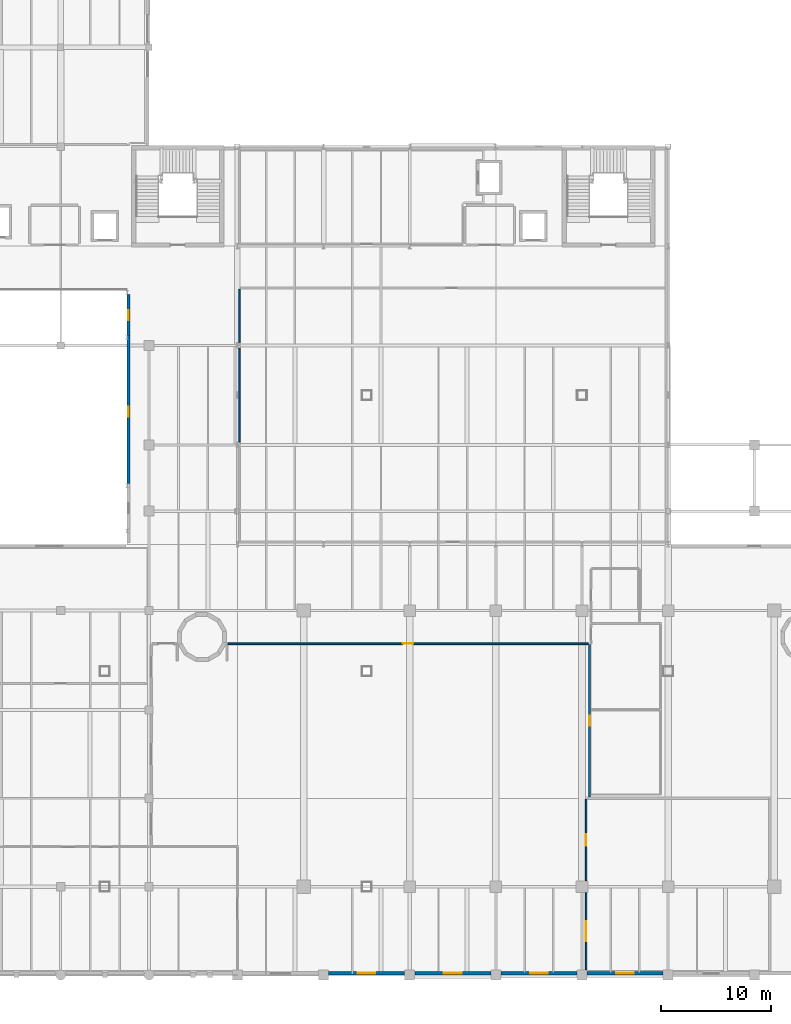
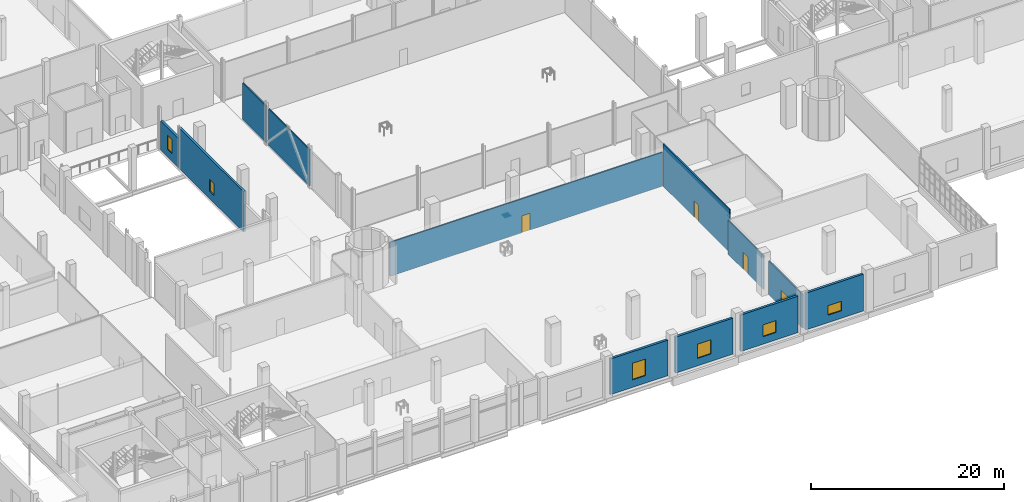
# One storey, part 40 of 57: 12 walls, 6 windows, 4 doors, 10 openings.
"""IFC4 building model written with IfcOpenShell, lengths in metres."""

from ifc_helpers import new_model, si_unit, derived_unit, direction, frame, frame_2d, origin, place, context, subcontext, project, spatial, rectangle, extrude, material, layer, layer_set, type_object, element, fill, save


model = new_model("IFC4")

# Units and contexts
model_context = context("Model", 3, precision=1e-05, world=origin(), true_north=direction((0.0, 1.0)))
body_context = subcontext(model_context, "Body", "Model", "MODEL_VIEW")
ifc_project = project(units=[si_unit("LENGTHUNIT", "METRE"), si_unit("AREAUNIT", "SQUARE_METRE"), si_unit("VOLUMEUNIT", "CUBIC_METRE"), si_unit("PLANEANGLEUNIT", "RADIAN"), si_unit("MASSUNIT", "GRAM", prefix="KILO"), derived_unit("THERMALTRANSMITTANCEUNIT", [(si_unit("POWERUNIT", "WATT"), 1), (si_unit("LENGTHUNIT", "METRE"), -2), (si_unit("THERMODYNAMICTEMPERATUREUNIT", "KELVIN"), -1)])], contexts=[model_context])

# Site, building, storey
site_placement = place(None, origin())
site = spatial("IfcSite", under=ifc_project, at=site_placement, CompositionType="ELEMENT")
building_placement = place(site_placement, origin())
building = spatial("IfcBuilding", under=site, at=building_placement, Name="Nallur Shell Playhouse", CompositionType="ELEMENT")
storey_placement = place(building_placement, origin())
storey = spatial("IfcBuildingStorey", under=building, at=storey_placement, Name="L01", CompositionType="ELEMENT", Elevation=0.0)

# Wall, opening, window
ifc_material_1 = material(Name="Precast concrete M40", Category="concrete")
ifc_layer_1 = layer(ifc_material_1, 0.260009765625)
ifc_layer_set_1 = layer_set([ifc_layer_1], Name="Precast concrete M40")
wall_type_1 = type_object("IfcWallType", Name="WL-EXT-CLAD260", PredefinedType="ELEMENTEDWALL", material=ifc_layer_set_1)
wall_1_placement = place(storey_placement, frame((54.14990234375, 52.48291015625, 0.0), z_axis=(0.0, 0.0, 1.0), x_axis=(0.0, 1.0, 0.0)))
wall_1 = element("IfcWall", 1, at=wall_1_placement, inside=storey, type_object=wall_type_1, Name="L01 exterior wall EW-L01-084", PredefinedType="ELEMENTEDWALL", context=body_context, shape_type="SweptSolid", body=[
    extrude(rectangle(XDim=13.400146484375, YDim=0.260009765625, at=frame_2d((6.7001953125, 0.0))), origin(), (0.0, 0.0, 1.0), 5.1201171875),
])
opening_1_placement = place(wall_1_placement, frame((6.06689453125, 0.0, 0.949951171875)))
opening_1 = element("IfcOpeningElement", 2, at=opening_1_placement, cuts=wall_1, Name="Opening WN-02", PredefinedType="OPENING", context=body_context, shape_type="SweptSolid", body=[
    extrude(rectangle(XDim=0.89990234375, YDim=1.5, at=frame_2d((0.449951171875, 0.75))), frame((0.0, 0.14013671875, 0.0), z_axis=(0.0, -1.0, 0.0), x_axis=(1.0, 0.0, 0.0)), (0.0, 0.0, 1.0), 0.280029296875),
])
ifc_material_2 = material(Name="Thermally Broken Aluminium Acoustic Double-Glazed Window", Category="aluminium")
window_type_1 = type_object("IfcWindowType", Name="WN-TYPE-02", PartitioningType="SINGLE_PANEL", PredefinedType="WINDOW", material=ifc_material_2)
window_1_placement = place(opening_1_placement, origin())
window_1 = element("IfcWindow", 3, at=window_1_placement, inside=storey, type_object=window_type_1, Name="L01 facade module window 034", OverallHeight=1.5, OverallWidth=0.89990234375, PartitioningType="SINGLE_PANEL", PredefinedType="WINDOW", context=body_context, shape_type="SweptSolid", body=[
    extrude(rectangle(XDim=0.89990234375, YDim=1.5, at=frame_2d((0.449951171875, 0.75))), frame((0.0, 0.030029296875, 0.0), z_axis=(0.0, -1.0, 0.0), x_axis=(1.0, 0.0, 0.0)), (0.0, 0.0, 1.0), 0.06005859375),
])
fill(opening_1, window_1)

wall_2_placement = place(storey_placement, frame((54.14990234375, 65.883056640625, 0.0), z_axis=(0.0, 0.0, 1.0), x_axis=(0.0, 1.0, 0.0)))
wall_2 = element("IfcWall", 4, at=wall_2_placement, inside=storey, type_object=wall_type_1, Name="L01 exterior wall EW-L01-085", PredefinedType="ELEMENTEDWALL", context=body_context, shape_type="SweptSolid", body=[
    extrude(rectangle(XDim=3.73388671875, YDim=0.260009765625, at=frame_2d((1.866943359375, 0.0))), origin(), (0.0, 0.0, 1.0), 3.675048828125),
])
opening_2_placement = place(wall_2_placement, frame((1.4169921875, 0.0, 0.949951171875)))
opening_2 = element("IfcOpeningElement", 5, at=opening_2_placement, cuts=wall_2, Name="Opening WN-03", PredefinedType="OPENING", context=body_context, shape_type="SweptSolid", body=[
    extrude(rectangle(XDim=0.89990234375, YDim=1.800048828125, at=frame_2d((0.449951171875, 0.89990234375))), frame((0.0, 0.14013671875, 0.0), z_axis=(0.0, -1.0, 0.0), x_axis=(1.0, 0.0, 0.0)), (0.0, 0.0, 1.0), 0.280029296875),
])
window_type_2 = type_object("IfcWindowType", Name="WN-TYPE-03", PartitioningType="SINGLE_PANEL", PredefinedType="WINDOW", material=ifc_material_2)
window_2_placement = place(opening_2_placement, origin())
window_2 = element("IfcWindow", 6, at=window_2_placement, inside=storey, type_object=window_type_2, Name="L01 facade module window 035", OverallHeight=1.800048828125, OverallWidth=0.89990234375, PartitioningType="SINGLE_PANEL", PredefinedType="WINDOW", context=body_context, shape_type="SweptSolid", body=[
    extrude(rectangle(XDim=0.89990234375, YDim=1.800048828125, at=frame_2d((0.449951171875, 0.89990234375))), frame((0.0, 0.030029296875, 0.0), z_axis=(0.0, -1.0, 0.0), x_axis=(1.0, 0.0, 0.0)), (0.0, 0.0, 1.0), 0.06005859375),
])
fill(opening_2, window_2)

ifc_material_3 = material(Name="Concrete M30", Category="concrete")
ifc_layer_2 = layer(ifc_material_3, 0.280029296875)
ifc_layer_set_2 = layer_set([ifc_layer_2], Name="Concrete M30")
wall_type_2 = type_object("IfcWallType", Name="WL-EXT-INS280", PredefinedType="STANDARD", material=ifc_layer_set_2)
wall_3_placement = place(storey_placement, frame((102.5419921875, 8.159912109375, 0.0), z_axis=(0.0, 0.0, 1.0), x_axis=(-1.0, 0.0, 0.0)))
wall_3 = element("IfcWall", 7, at=wall_3_placement, inside=storey, type_object=wall_type_2, Name="L01 exterior wall EW-L01-047", PredefinedType="STANDARD", context=body_context, shape_type="SweptSolid", body=[
    extrude(rectangle(XDim=6.884033203125, YDim=0.280029296875, at=frame_2d((3.44189453125, 0.0))), origin(), (0.0, 0.0, 1.0), 4.655029296875),
])
opening_3_placement = place(wall_3_placement, frame((2.64208984375, 0.0, 0.949951171875)))
opening_3 = element("IfcOpeningElement", 8, at=opening_3_placement, cuts=wall_3, Name="Opening WN-17", PredefinedType="OPENING", context=body_context, shape_type="SweptSolid", body=[
    extrude(rectangle(XDim=1.60009765625, YDim=1.199951171875, at=frame_2d((0.800048828125, 0.60009765625))), frame((0.0, 0.14990234375, 0.0), z_axis=(0.0, -1.0, 0.0), x_axis=(1.0, 0.0, 0.0)), (0.0, 0.0, 1.0), 0.300048828125),
])
window_type_3 = type_object("IfcWindowType", Name="WN-TYPE-17", PartitioningType="SINGLE_PANEL", PredefinedType="WINDOW", material=ifc_material_2)
window_3_placement = place(opening_3_placement, origin())
window_3 = element("IfcWindow", 9, at=window_3_placement, inside=storey, type_object=window_type_3, Name="L01 facade module window 017", OverallHeight=1.199951171875, OverallWidth=1.60009765625, PartitioningType="SINGLE_PANEL", PredefinedType="WINDOW", context=body_context, shape_type="SweptSolid", body=[
    extrude(rectangle(XDim=1.60009765625, YDim=1.199951171875, at=frame_2d((0.800048828125, 0.60009765625))), frame((0.0, 0.030029296875, 0.0), z_axis=(0.0, -1.0, 0.0), x_axis=(1.0, 0.0, 0.0)), (0.0, 0.0, 1.0), 0.06005859375),
])
fill(opening_3, window_3)

wall_4_placement = place(storey_placement, frame((94.741943359375, 8.159912109375, 0.0), z_axis=(0.0, 0.0, 1.0), x_axis=(-1.0, 0.0, 0.0)))
wall_4 = element("IfcWall", 10, at=wall_4_placement, inside=storey, type_object=wall_type_2, Name="L01 exterior wall EW-L01-048", PredefinedType="STANDARD", context=body_context, shape_type="SweptSolid", body=[
    extrude(rectangle(XDim=6.884033203125, YDim=0.280029296875, at=frame_2d((3.44189453125, 0.0))), origin(), (0.0, 0.0, 1.0), 4.60498046875),
])
opening_4_placement = place(wall_4_placement, frame((2.64208984375, 0.0, 0.949951171875)))
opening_4 = element("IfcOpeningElement", 11, at=opening_4_placement, cuts=wall_4, Name="Opening WN-18", PredefinedType="OPENING", context=body_context, shape_type="SweptSolid", body=[
    extrude(rectangle(XDim=1.60009765625, YDim=1.5, at=frame_2d((0.800048828125, 0.75))), frame((0.0, 0.14990234375, 0.0), z_axis=(0.0, -1.0, 0.0), x_axis=(1.0, 0.0, 0.0)), (0.0, 0.0, 1.0), 0.300048828125),
])
window_type_4 = type_object("IfcWindowType", Name="WN-TYPE-18", PartitioningType="SINGLE_PANEL", PredefinedType="WINDOW", material=ifc_material_2)
window_4_placement = place(opening_4_placement, origin())
window_4 = element("IfcWindow", 12, at=window_4_placement, inside=storey, type_object=window_type_4, Name="L01 facade module window 018", OverallHeight=1.5, OverallWidth=1.60009765625, PartitioningType="SINGLE_PANEL", PredefinedType="WINDOW", context=body_context, shape_type="SweptSolid", body=[
    extrude(rectangle(XDim=1.60009765625, YDim=1.5, at=frame_2d((0.800048828125, 0.75))), frame((0.0, 0.030029296875, 0.0), z_axis=(0.0, -1.0, 0.0), x_axis=(1.0, 0.0, 0.0)), (0.0, 0.0, 1.0), 0.06005859375),
])
fill(opening_4, window_4)

wall_5_placement = place(storey_placement, frame((86.94189453125, 8.159912109375, 0.0), z_axis=(0.0, 0.0, 1.0), x_axis=(-1.0, 0.0, 0.0)))
wall_5 = element("IfcWall", 13, at=wall_5_placement, inside=storey, type_object=wall_type_2, Name="L01 exterior wall EW-L01-049", PredefinedType="STANDARD", context=body_context, shape_type="SweptSolid", body=[
    extrude(rectangle(XDim=6.8837890625, YDim=0.280029296875, at=frame_2d((3.44189453125, 0.0))), origin(), (0.0, 0.0, 1.0), 4.554931640625),
])
opening_5_placement = place(wall_5_placement, frame((2.64208984375, 0.0, 0.949951171875)))
opening_5 = element("IfcOpeningElement", 14, at=opening_5_placement, cuts=wall_5, Name="Opening WN-19", PredefinedType="OPENING", context=body_context, shape_type="SweptSolid", body=[
    extrude(rectangle(XDim=1.60009765625, YDim=1.800048828125, at=frame_2d((0.800048828125, 0.89990234375))), frame((0.0, 0.14990234375, 0.0), z_axis=(0.0, -1.0, 0.0), x_axis=(1.0, 0.0, 0.0)), (0.0, 0.0, 1.0), 0.300048828125),
])
window_type_5 = type_object("IfcWindowType", Name="WN-TYPE-19", PartitioningType="SINGLE_PANEL", PredefinedType="WINDOW", material=ifc_material_2)
window_5_placement = place(opening_5_placement, origin())
window_5 = element("IfcWindow", 15, at=window_5_placement, inside=storey, type_object=window_type_5, Name="L01 facade module window 019", OverallHeight=1.800048828125, OverallWidth=1.60009765625, PartitioningType="SINGLE_PANEL", PredefinedType="WINDOW", context=body_context, shape_type="SweptSolid", body=[
    extrude(rectangle(XDim=1.60009765625, YDim=1.800048828125, at=frame_2d((0.800048828125, 0.89990234375))), frame((0.0, 0.030029296875, 0.0), z_axis=(0.0, -1.0, 0.0), x_axis=(1.0, 0.0, 0.0)), (0.0, 0.0, 1.0), 0.06005859375),
])
fill(opening_5, window_5)

wall_6_placement = place(storey_placement, frame((79.14208984375, 8.159912109375, 0.0), z_axis=(0.0, 0.0, 1.0), x_axis=(-1.0, 0.0, 0.0)))
wall_6 = element("IfcWall", 16, at=wall_6_placement, inside=storey, type_object=wall_type_2, Name="L01 exterior wall EW-L01-050", PredefinedType="STANDARD", context=body_context, shape_type="SweptSolid", body=[
    extrude(rectangle(XDim=6.884033203125, YDim=0.280029296875, at=frame_2d((3.44189453125, 0.0))), origin(), (0.0, 0.0, 1.0), 4.5048828125),
])
opening_6_placement = place(wall_6_placement, frame((2.64208984375, 0.0, 0.949951171875)))
opening_6 = element("IfcOpeningElement", 17, at=opening_6_placement, cuts=wall_6, Name="Opening WN-20", PredefinedType="OPENING", context=body_context, shape_type="SweptSolid", body=[
    extrude(rectangle(XDim=1.60009765625, YDim=2.10009765625, at=frame_2d((0.800048828125, 1.050048828125))), frame((0.0, 0.14990234375, 0.0), z_axis=(0.0, -1.0, 0.0), x_axis=(1.0, 0.0, 0.0)), (0.0, 0.0, 1.0), 0.300048828125),
])
window_type_6 = type_object("IfcWindowType", Name="WN-TYPE-20", PartitioningType="SINGLE_PANEL", PredefinedType="WINDOW", material=ifc_material_2)
window_6_placement = place(opening_6_placement, origin())
window_6 = element("IfcWindow", 18, at=window_6_placement, inside=storey, type_object=window_type_6, Name="L01 facade module window 020", OverallHeight=2.10009765625, OverallWidth=1.60009765625, PartitioningType="SINGLE_PANEL", PredefinedType="WINDOW", context=body_context, shape_type="SweptSolid", body=[
    extrude(rectangle(XDim=1.60009765625, YDim=2.10009765625, at=frame_2d((0.800048828125, 1.050048828125))), frame((0.0, 0.030029296875, 0.0), z_axis=(0.0, -1.0, 0.0), x_axis=(1.0, 0.0, 0.0)), (0.0, 0.0, 1.0), 0.06005859375),
])
fill(opening_6, window_6)

# Wall, opening, door
ifc_material_4 = material(Name="Concrete M25 Fire Blockwork", Category="masonry")
ifc_layer_3 = layer(ifc_material_4, 0.14990234375)
ifc_layer_set_3 = layer_set([ifc_layer_3], Name="Concrete M25 Fire Blockwork")
wall_type_3 = type_object("IfcWallType", Name="WL-PART-FR150", PredefinedType="PARTITIONING", material=ifc_layer_set_3)
wall_7_placement = place(storey_placement, frame((63.14501953125, 38.0, 0.0), z_axis=(0.0, 0.0, 1.0), x_axis=(1.0, 0.0, 0.0)))
wall_7 = element("IfcWall", 19, at=wall_7_placement, inside=storey, type_object=wall_type_3, Name="Grand Monsoon Concourse & Ticket Hall partition IW-L01-0045", PredefinedType="PARTITIONING", context=body_context, shape_type="SweptSolid", body=[
    extrude(rectangle(XDim=32.639892578125, YDim=0.14990234375, at=frame_2d((16.31982421875, 0.0))), origin(), (0.0, 0.0, 1.0), 4.300048828125),
])
opening_7_placement = place(wall_7_placement, frame((15.844970703125, 0.0, 0.0)))
opening_7 = element("IfcOpeningElement", 20, at=opening_7_placement, cuts=wall_7, Name="Opening ID-03", PredefinedType="OPENING", context=body_context, shape_type="SweptSolid", body=[
    extrude(rectangle(XDim=0.949951171875, YDim=2.14990234375, at=frame_2d((0.47509765625, 1.074951171875))), frame((0.0, 0.0849609375, 0.0), z_axis=(0.0, -1.0, 0.0), x_axis=(1.0, 0.0, 0.0)), (0.0, 0.0, 1.0), 0.169921875),
])
ifc_material_5 = material(Name="Solid-Core Engineered Timber Door", Category="wood")
door_type_1 = type_object("IfcDoorType", Name="DR-INT-SGL950L", OperationType="SINGLE_SWING_LEFT", PredefinedType="DOOR", material=ifc_material_5)
door_1_placement = place(opening_7_placement, origin())
door_1 = element("IfcDoor", 21, at=door_1_placement, inside=storey, type_object=door_type_1, Name="Grand Monsoon Concourse & Ticket Hall door 1", OperationType="SINGLE_SWING_LEFT", OverallHeight=2.14990234375, OverallWidth=0.949951171875, PredefinedType="DOOR", context=body_context, shape_type="SweptSolid", body=[
    extrude(rectangle(XDim=0.949951171875, YDim=2.14990234375, at=frame_2d((0.47509765625, 1.074951171875))), frame((0.0, 0.02490234375, 0.0), z_axis=(0.0, -1.0, 0.0), x_axis=(1.0, 0.0, 0.0)), (0.0, 0.0, 1.0), 0.050048828125),
])
fill(opening_7, door_1)

wall_8_placement = place(storey_placement, frame((95.8798828125, 37.905029296875, 0.0), z_axis=(0.0, 0.0, 1.0), x_axis=(0.0, -1.0, 0.0)))
wall_8 = element("IfcWall", 22, at=wall_8_placement, inside=storey, type_object=wall_type_3, Name="Grand Monsoon Concourse & Ticket Hall partition IW-L01-0046", PredefinedType="PARTITIONING", context=body_context, shape_type="SweptSolid", body=[
    extrude(rectangle(XDim=13.780029296875, YDim=0.14990234375, at=frame_2d((6.89013671875, 0.0))), origin(), (0.0, 0.0, 1.0), 5.39990234375),
])
opening_8_placement = place(wall_8_placement, frame((6.449951171875, 0.0, 0.0)))
opening_8 = element("IfcOpeningElement", 23, at=opening_8_placement, cuts=wall_8, Name="Opening WD-02", PredefinedType="OPENING", context=body_context, shape_type="SweptSolid", body=[
    extrude(rectangle(XDim=0.8798828125, YDim=2.10009765625, at=frame_2d((0.43994140625, 1.050048828125))), frame((0.0, 0.0849609375, 0.0), z_axis=(0.0, -1.0, 0.0), x_axis=(1.0, 0.0, 0.0)), (0.0, 0.0, 1.0), 0.169921875),
])
ifc_material_6 = material(Name="Moisture-Resistant Laminate Restroom Door")
door_type_2 = type_object("IfcDoorType", Name="DR-INT-WC880R", OperationType="SINGLE_SWING_RIGHT", PredefinedType="DOOR", material=ifc_material_6)
door_2_placement = place(opening_8_placement, origin())
door_2 = element("IfcDoor", 24, at=door_2_placement, inside=storey, type_object=door_type_2, Name="Main Foyer Male Restroom door 1", OperationType="SINGLE_SWING_RIGHT", OverallHeight=2.10009765625, OverallWidth=0.8798828125, PredefinedType="DOOR", context=body_context, shape_type="SweptSolid", body=[
    extrude(rectangle(XDim=0.8798828125, YDim=2.10009765625, at=frame_2d((0.43994140625, 1.050048828125))), frame((0.0, 0.02490234375, 0.0), z_axis=(0.0, -1.0, 0.0), x_axis=(1.0, 0.0, 0.0)), (0.0, 0.0, 1.0), 0.050048828125),
])
fill(opening_8, door_2)

wall_9_placement = place(storey_placement, frame((95.570068359375, 23.905029296875, 0.0), z_axis=(0.0, 0.0, 1.0), x_axis=(0.0, -1.0, 0.0)))
wall_9 = element("IfcWall", 25, at=wall_9_placement, inside=storey, type_object=wall_type_3, Name="Grand Monsoon Concourse & Ticket Hall partition IW-L01-0047", PredefinedType="PARTITIONING", context=body_context, shape_type="SweptSolid", body=[
    extrude(rectangle(XDim=7.364990234375, YDim=0.14990234375, at=frame_2d((3.6826171875, 0.0))), origin(), (0.0, 0.0, 1.0), 4.300048828125),
])
opening_9_placement = place(wall_9_placement, frame((3.157958984375, 0.0, 0.0)))
opening_9 = element("IfcOpeningElement", 26, at=opening_9_placement, cuts=wall_9, Name="Opening ID-01", PredefinedType="OPENING", context=body_context, shape_type="SweptSolid", body=[
    extrude(rectangle(XDim=1.050048828125, YDim=2.14990234375, at=frame_2d((0.52490234375, 1.074951171875))), frame((0.0, 0.0849609375, 0.0), z_axis=(0.0, -1.0, 0.0), x_axis=(1.0, 0.0, 0.0)), (0.0, 0.0, 1.0), 0.169921875),
])
ifc_material_7 = material(Name="Solid-Core Engineered Timber Fire Door", Category="wood")
door_type_3 = type_object("IfcDoorType", Name="DR-INT-SGL1050L", OperationType="SINGLE_SWING_LEFT", PredefinedType="DOOR", material=ifc_material_7)
door_3_placement = place(opening_9_placement, origin())
door_3 = element("IfcDoor", 27, at=door_3_placement, inside=storey, type_object=door_type_3, Name="Patron Cloakroom & Audio Guide Counter door 1", OperationType="SINGLE_SWING_LEFT", OverallHeight=2.14990234375, OverallWidth=1.050048828125, PredefinedType="DOOR", context=body_context, shape_type="SweptSolid", body=[
    extrude(rectangle(XDim=1.050048828125, YDim=2.14990234375, at=frame_2d((0.52490234375, 1.074951171875))), frame((0.0, 0.02490234375, 0.0), z_axis=(0.0, -1.0, 0.0), x_axis=(1.0, 0.0, 0.0)), (0.0, 0.0, 1.0), 0.050048828125),
])
fill(opening_9, door_3)

wall_10_placement = place(storey_placement, frame((95.570068359375, 15.4599609375, 0.0), z_axis=(0.0, 0.0, 1.0), x_axis=(0.0, -1.0, 0.0)))
wall_10 = element("IfcWall", 28, at=wall_10_placement, inside=storey, type_object=wall_type_3, Name="Grand Monsoon Concourse & Ticket Hall partition IW-L01-0048", PredefinedType="PARTITIONING", context=body_context, shape_type="SweptSolid", body=[
    extrude(rectangle(XDim=6.96484375, YDim=0.14990234375, at=frame_2d((3.482421875, 0.0))), origin(), (0.0, 0.0, 1.0), 4.300048828125),
])
opening_10_placement = place(wall_10_placement, frame((2.5830078125, 0.0, 0.0)))
opening_10 = element("IfcOpeningElement", 29, at=opening_10_placement, cuts=wall_10, Name="Opening FD-FL1", PredefinedType="OPENING", context=body_context, shape_type="SweptSolid", body=[
    extrude(rectangle(XDim=1.800048828125, YDim=2.14990234375, at=frame_2d((0.89990234375, 1.074951171875))), frame((0.0, 0.0849609375, 0.0), z_axis=(0.0, -1.0, 0.0), x_axis=(1.0, 0.0, 0.0)), (0.0, 0.0, 1.0), 0.169921875),
])
ifc_material_8 = material(Name="Firefighting Lobby Smoke-Seal Double Door")
door_type_4 = type_object("IfcDoorType", Name="DR-INT-FFL-DBL", OperationType="DOUBLE_DOOR_SINGLE_SWING", PredefinedType="DOOR", material=ifc_material_8)
door_4_placement = place(opening_10_placement, origin())
door_4 = element("IfcDoor", 30, at=door_4_placement, inside=storey, type_object=door_type_4, Name="L01 circulation link door 0036", OperationType="DOUBLE_DOOR_SINGLE_SWING", OverallHeight=2.14990234375, OverallWidth=1.800048828125, PredefinedType="DOOR", context=body_context, shape_type="SweptSolid", body=[
    extrude(rectangle(XDim=1.800048828125, YDim=2.14990234375, at=frame_2d((0.89990234375, 1.074951171875))), frame((0.0, 0.02490234375, 0.0), z_axis=(0.0, -1.0, 0.0), x_axis=(1.0, 0.0, 0.0)), (0.0, 0.0, 1.0), 0.050048828125),
])
fill(opening_10, door_4)

# Walls
wall_11_placement = place(storey_placement, frame((64.199951171875, 56.239990234375, 0.0), z_axis=(0.0, 0.0, 1.0), x_axis=(0.0, 1.0, 0.0)))
element("IfcWall", 31, at=wall_11_placement, inside=storey, type_object=wall_type_3, Name="Main Theatre Proscenium Stage & Side Stages partition IW-L01-0090", PredefinedType="PARTITIONING", context=body_context, shape_type="SweptSolid", body=[
    extrude(rectangle(XDim=8.52001953125, YDim=0.14990234375, at=frame_2d((4.260009765625, 0.0))), origin(), (0.0, 0.0, 1.0), 4.60009765625),
])
wall_12_placement = place(storey_placement, frame((64.199951171875, 65.239990234375, 0.0), z_axis=(0.0, 0.0, 1.0), x_axis=(0.0, 1.0, 0.0)))
element("IfcWall", 32, at=wall_12_placement, inside=storey, type_object=wall_type_3, Name="Main Theatre Proscenium Stage & Side Stages partition IW-L01-0091", PredefinedType="PARTITIONING", context=body_context, shape_type="SweptSolid", body=[
    extrude(rectangle(XDim=4.864990234375, YDim=0.14990234375, at=frame_2d((2.4326171875, 0.0))), origin(), (0.0, 0.0, 1.0), 4.64990234375),
])

save(model, "model.ifc")
